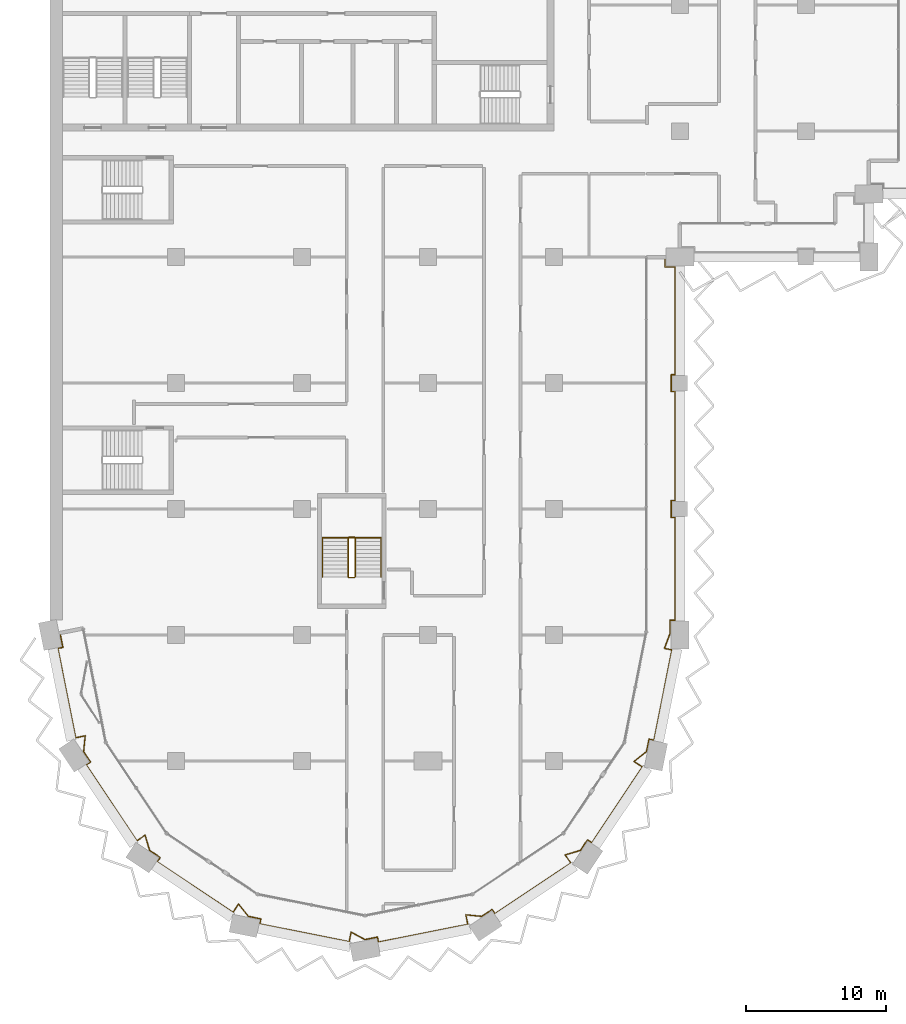
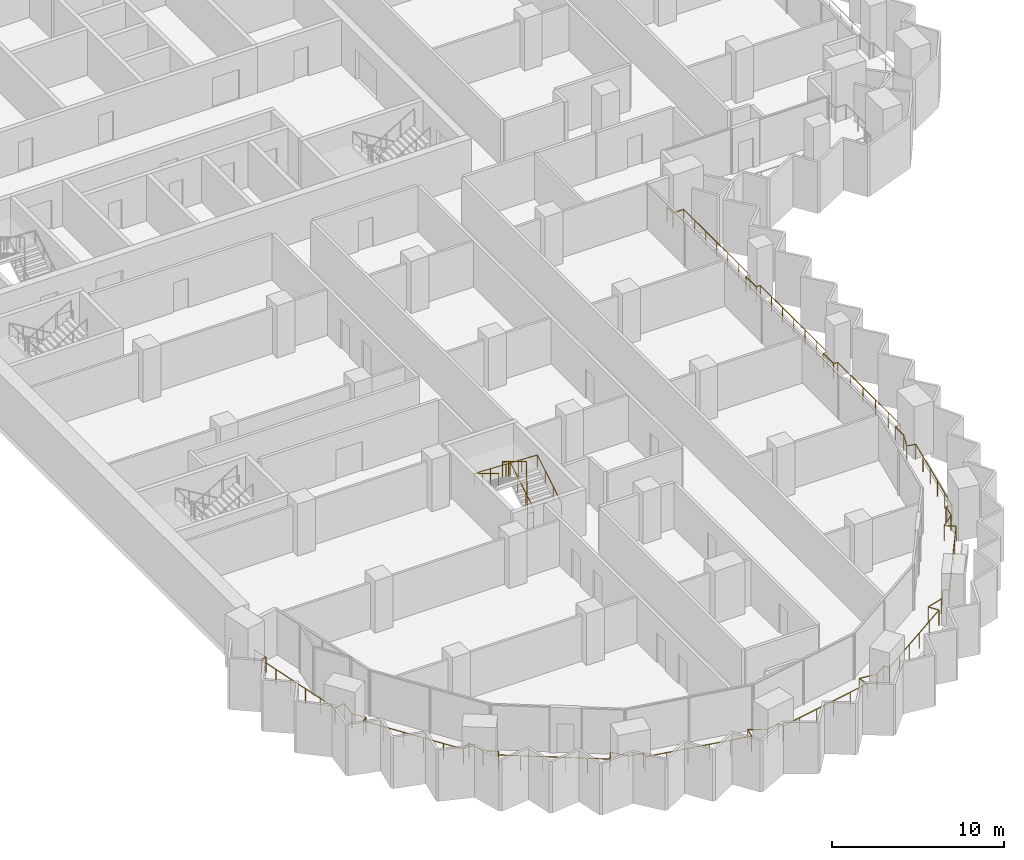
# One storey, part 19 of 22: 3 railings.
"""IFC4 building model written with IfcOpenShell, lengths in metres."""

from ifc_helpers import new_model, si_unit, direction, frame, origin, origin_2d, place, context, subcontext, project, spatial, circle, extrude, material, type_object, element, save


model = new_model("IFC4")

# Units and contexts
model_context = context("Model", 3, precision=1e-05, world=origin(), true_north=direction((0.0, 1.0)))
body_context = subcontext(model_context, "Body", "Model", "MODEL_VIEW")
ifc_project = project(units=[si_unit("LENGTHUNIT", "METRE"), si_unit("AREAUNIT", "SQUARE_METRE"), si_unit("VOLUMEUNIT", "CUBIC_METRE"), si_unit("PLANEANGLEUNIT", "RADIAN"), si_unit("MASSUNIT", "GRAM", prefix="KILO")], contexts=[model_context])

# Site, building, storey
site_placement = place(None, origin())
site = spatial("IfcSite", under=ifc_project, at=site_placement, CompositionType="ELEMENT")
building_placement = place(site_placement, origin())
building = spatial("IfcBuilding", under=site, at=building_placement, Name="Hunhe Ridgeline Campus", CompositionType="ELEMENT")
storey_placement = place(building_placement, frame((0.0, 0.0, 174.5)))
storey = spatial("IfcBuildingStorey", under=building, at=storey_placement, Name="L44", CompositionType="ELEMENT", Elevation=174.5)

# Railings
ifc_material_1 = material(Name="Steel Q355", Category="steel")
railing_type_1 = type_object("IfcRailingType", Name="Loggia guard 1100 Steel Q355", PredefinedType="GUARDRAIL", material=ifc_material_1)
railing_1_placement = place(storey_placement, frame((0.7060546875, 27.140380859375, 0.0)))
element("IfcRailing", 1, at=railing_1_placement, inside=storey, type_object=railing_type_1, Name="Loggia guard 1", PredefinedType="GUARDRAIL", context=body_context, shape_type="SweptSolid", body=[
    extrude(circle(Radius=0.02392578125, at=origin_2d()), frame((0.0, 0.0, 1.076171875), z_axis=(0.195087556151, -0.980785830564, 0.0), x_axis=(0.980785830564, 0.195087556151, 0.0)), (0.0, 0.0, 1.0), 1.050048828125),
    extrude(circle(Radius=0.02392578125, at=origin_2d()), frame((0.204833984375, -1.02978515625, 1.076171875), z_axis=(-0.980858940504, -0.194719641621, 0.0), x_axis=(0.194719641621, -0.980858940504, 0.0)), (0.0, 0.0, 1.0), 0.369873046875),
    extrude(circle(Radius=0.02392578125, at=origin_2d()), frame((-0.157958984375, -1.101806640625, 1.076171875), z_axis=(0.19507695386, -0.9807879394, 0.0), x_axis=(0.9807879394, 0.19507695386, 0.0)), (0.0, 0.0, 1.0), 6.506591796875),
    extrude(circle(Radius=0.02392578125, at=origin_2d()), frame((1.111328125, -7.4833984375, 1.076171875), z_axis=(0.980780459814, 0.195114555191, 0.0), x_axis=(-0.195114555191, 0.980780459814, 0.0)), (0.0, 0.0, 1.0), 0.703125),
    extrude(circle(Radius=0.02392578125, at=origin_2d()), frame((1.801025390625, -7.34619140625, 1.076171875), z_axis=(-0.102884402445, -0.994693319437, 0.0), x_axis=(0.994693319437, -0.102884402445, 0.0)), (0.0, 0.0, 1.0), 1.129638671875),
    extrude(circle(Radius=0.02392578125, at=origin_2d()), frame((1.684814453125, -8.4697265625, 1.076171875), z_axis=(0.555569523548, -0.831470086356, 0.0), x_axis=(0.831470086356, 0.555569523548, 0.0)), (0.0, 0.0, 1.0), 0.906982421875),
    extrude(circle(Radius=0.02392578125, at=origin_2d()), frame((2.188720703125, -9.223876953125, 1.076171875), z_axis=(-0.831440678638, -0.555613532868, 0.0), x_axis=(0.555613532868, -0.831440678638, 0.0)), (0.0, 0.0, 1.0), 0.369873046875),
    extrude(circle(Radius=0.02392578125, at=origin_2d()), frame((1.881103515625, -9.429443359375, 1.076171875), z_axis=(0.55556581165, -0.83147256655, 0.0), x_axis=(0.83147256655, 0.55556581165, 0.0)), (0.0, 0.0, 1.0), 6.50634765625),
    extrude(circle(Radius=0.02392578125, at=origin_2d()), frame((5.495849609375, -14.83935546875, 1.076171875), z_axis=(0.831355400166, 0.555741125539, 0.0), x_axis=(-0.555741125539, 0.831355400166, 0.0)), (0.0, 0.0, 1.0), 0.703369140625),
    extrude(circle(Radius=0.02392578125, at=origin_2d()), frame((6.08056640625, -14.448486328125, 1.076171875), z_axis=(0.285463917281, -0.958389457335, 0.0), x_axis=(0.958389457335, 0.285463917281, 0.0)), (0.0, 0.0, 1.0), 1.1298828125),
    extrude(circle(Radius=0.02392578125, at=origin_2d()), frame((6.403076171875, -15.53125, 1.076171875), z_axis=(0.831511358569, -0.555507750235, 0.0), x_axis=(0.555507750235, 0.831511358569, 0.0)), (0.0, 0.0, 1.0), 0.90673828125),
    extrude(circle(Radius=0.02392578125, at=origin_2d()), frame((7.156982421875, -16.034912109375, 1.076171875), z_axis=(-0.555613532868, -0.831440678638, 0.0), x_axis=(0.831440678638, -0.555613532868, 0.0)), (0.0, 0.0, 1.0), 0.369873046875),
    extrude(circle(Radius=0.02392578125, at=origin_2d()), frame((6.951416015625, -16.342529296875, 1.076171875), z_axis=(0.831455233209, -0.555591752251, 0.0), x_axis=(0.555591752251, 0.831455233209, 0.0)), (0.0, 0.0, 1.0), 6.506591796875),
    extrude(circle(Radius=0.02392578125, at=origin_2d()), frame((12.361328125, -19.95751953125, 1.076171875), z_axis=(0.555741125539, 0.831355400166, 0.0), x_axis=(-0.831355400166, 0.555741125539, 0.0)), (0.0, 0.0, 1.0), 0.703369140625),
    extrude(circle(Radius=0.02392578125, at=origin_2d()), frame((12.752197265625, -19.372802734375, 1.076171875), z_axis=(0.630633305327, -0.776080945657, 0.0), x_axis=(0.776080945657, 0.630633305327, 0.0)), (0.0, 0.0, 1.0), 1.129638671875),
    extrude(circle(Radius=0.02392578125, at=origin_2d()), frame((13.464599609375, -20.24951171875, 1.076171875), z_axis=(0.980807887006, -0.194976636516, 0.0), x_axis=(0.194976636516, 0.980807887006, 0.0)), (0.0, 0.0, 1.0), 0.906494140625),
    extrude(circle(Radius=0.02392578125, at=origin_2d()), frame((14.353759765625, -20.42626953125, 1.076171875), z_axis=(-0.194593653816, -0.980883943132, 0.0), x_axis=(0.980883943132, -0.194593653816, 0.0)), (0.0, 0.0, 1.0), 0.3701171875),
    extrude(circle(Radius=0.02392578125, at=origin_2d()), frame((14.28173828125, -20.789306640625, 1.076171875), z_axis=(0.98078651142, -0.195084133173, 0.0), x_axis=(0.195084133173, 0.98078651142, 0.0)), (0.0, 0.0, 1.0), 6.50634765625),
    extrude(circle(Radius=0.02392578125, at=origin_2d()), frame((20.6630859375, -22.05859375, 1.076171875), z_axis=(0.195114555191, 0.980780459814, 0.0), x_axis=(-0.980780459814, 0.195114555191, 0.0)), (0.0, 0.0, 1.0), 0.703125),
    extrude(circle(Radius=0.02392578125, at=origin_2d()), frame((20.80029296875, -21.368896484375, 1.076171875), z_axis=(0.879616090555, -0.475684278946, 0.0), x_axis=(0.475684278946, 0.879616090555, 0.0)), (0.0, 0.0, 1.0), 1.129638671875),
    extrude(circle(Radius=0.02392578125, at=origin_2d()), frame((21.7939453125, -21.90625, 1.076171875), z_axis=(0.98081812081, 0.194925149456, 0.0), x_axis=(-0.194925149456, 0.98081812081, 0.0)), (0.0, 0.0, 1.0), 0.90673828125),
    extrude(circle(Radius=0.02392578125, at=origin_2d()), frame((22.683349609375, -21.7294921875, 1.076171875), z_axis=(0.194719641621, -0.980858940504, 0.0), x_axis=(0.980858940504, 0.194719641621, 0.0)), (0.0, 0.0, 1.0), 0.369873046875),
    extrude(circle(Radius=0.02392578125, at=origin_2d()), frame((22.75537109375, -22.09228515625, 1.076171875), z_axis=(0.9807879394, 0.19507695386, 0.0), x_axis=(-0.19507695386, 0.9807879394, 0.0)), (0.0, 0.0, 1.0), 6.506591796875),
    extrude(circle(Radius=0.02392578125, at=origin_2d()), frame((29.136962890625, -20.822998046875, 1.076171875), z_axis=(-0.195114555191, 0.980780459814, 0.0), x_axis=(-0.980780459814, -0.195114555191, 0.0)), (0.0, 0.0, 1.0), 0.703125),
    extrude(circle(Radius=0.02392578125, at=origin_2d()), frame((28.999755859375, -20.13330078125, 1.076171875), z_axis=(0.994693319437, -0.102884402445, 0.0), x_axis=(0.102884402445, 0.994693319437, 0.0)), (0.0, 0.0, 1.0), 1.129638671875),
    extrude(circle(Radius=0.02392578125, at=origin_2d()), frame((30.123291015625, -20.24951171875, 1.076171875), z_axis=(0.831470086356, 0.555569523548, 0.0), x_axis=(-0.555569523548, 0.831470086356, 0.0)), (0.0, 0.0, 1.0), 0.906982421875),
    extrude(circle(Radius=0.02392578125, at=origin_2d()), frame((30.87744140625, -19.74560546875, 1.076171875), z_axis=(0.555613532868, -0.831440678638, 0.0), x_axis=(0.831440678638, 0.555613532868, 0.0)), (0.0, 0.0, 1.0), 0.369873046875),
    extrude(circle(Radius=0.02392578125, at=origin_2d()), frame((31.0830078125, -20.05322265625, 1.076171875), z_axis=(0.83147256655, 0.55556581165, 0.0), x_axis=(-0.55556581165, 0.83147256655, 0.0)), (0.0, 0.0, 1.0), 6.50634765625),
    extrude(circle(Radius=0.02392578125, at=origin_2d()), frame((36.492919921875, -16.4384765625, 1.076171875), z_axis=(-0.555741125539, 0.831355400166, 0.0), x_axis=(-0.831355400166, -0.555741125539, 0.0)), (0.0, 0.0, 1.0), 0.703369140625),
    extrude(circle(Radius=0.02392578125, at=origin_2d()), frame((36.10205078125, -15.853759765625, 1.076171875), z_axis=(0.958389457335, 0.285463917281, 0.0), x_axis=(-0.285463917281, 0.958389457335, 0.0)), (0.0, 0.0, 1.0), 1.1298828125),
    extrude(circle(Radius=0.02392578125, at=origin_2d()), frame((37.184814453125, -15.53125, 1.076171875), z_axis=(0.555507750235, 0.831511358569, 0.0), x_axis=(-0.831511358569, 0.555507750235, 0.0)), (0.0, 0.0, 1.0), 0.90673828125),
    extrude(circle(Radius=0.02392578125, at=origin_2d()), frame((37.6884765625, -14.77734375, 1.076171875), z_axis=(0.831440678638, -0.555613532868, 0.0), x_axis=(0.555613532868, 0.831440678638, 0.0)), (0.0, 0.0, 1.0), 0.369873046875),
    extrude(circle(Radius=0.02392578125, at=origin_2d()), frame((37.99609375, -14.98291015625, 1.076171875), z_axis=(0.555591752251, 0.831455233209, 0.0), x_axis=(-0.831455233209, 0.555591752251, 0.0)), (0.0, 0.0, 1.0), 6.506591796875),
    extrude(circle(Radius=0.02392578125, at=origin_2d()), frame((41.611083984375, -9.572998046875, 1.076171875), z_axis=(-0.831355400166, 0.555741125539, 0.0), x_axis=(-0.555741125539, -0.831355400166, 0.0)), (0.0, 0.0, 1.0), 0.703369140625),
    extrude(circle(Radius=0.02392578125, at=origin_2d()), frame((41.0263671875, -9.18212890625, 1.076171875), z_axis=(0.776080945657, 0.630633305327, 0.0), x_axis=(-0.630633305327, 0.776080945657, 0.0)), (0.0, 0.0, 1.0), 1.129638671875),
    extrude(circle(Radius=0.02392578125, at=origin_2d()), frame((41.903076171875, -8.4697265625, 1.076171875), z_axis=(0.194976636516, 0.980807887006, 0.0), x_axis=(-0.980807887006, 0.194976636516, 0.0)), (0.0, 0.0, 1.0), 0.906494140625),
    extrude(circle(Radius=0.02392578125, at=origin_2d()), frame((42.079833984375, -7.58056640625, 1.076171875), z_axis=(0.980883943132, -0.194593653816, 0.0), x_axis=(0.194593653816, 0.980883943132, 0.0)), (0.0, 0.0, 1.0), 0.3701171875),
    extrude(circle(Radius=0.02392578125, at=origin_2d()), frame((42.44287109375, -7.652587890625, 1.076171875), z_axis=(0.195087191819, 0.980785903033, 0.0), x_axis=(-0.980785903033, 0.195087191819, 0.0)), (0.0, 0.0, 1.0), 6.5712890625),
    extrude(circle(Radius=0.02392578125, at=origin_2d()), frame((43.724853515625, -1.20751953125, 1.076171875), z_axis=(-0.9807502228, 0.195266485801, 0.0), x_axis=(-0.195266485801, -0.9807502228, 0.0)), (0.0, 0.0, 1.0), 0.552734375),
    extrude(circle(Radius=0.02392578125, at=origin_2d()), frame((43.182861328125, -1.099609375, 1.076171875), z_axis=(0.354981524628, 0.934873316109, 0.0), x_axis=(-0.934873316109, 0.354981524628, 0.0)), (0.0, 0.0, 1.0), 1.101806640625),
    extrude(circle(Radius=0.02392578125, at=origin_2d()), frame((43.573974609375, -0.069580078125, 1.076171875), z_axis=(0.0, 1.0, 0.0), x_axis=(-1.0, 0.0, 0.0)), (0.0, 0.0, 1.0), 0.979248046875),
    extrude(circle(Radius=0.02392578125, at=origin_2d()), frame((43.573974609375, 0.90966796875, 1.076171875), z_axis=(1.0, 0.0, 0.0), x_axis=(0.0, 1.0, 0.0)), (0.0, 0.0, 1.0), 0.369873046875),
    extrude(circle(Radius=0.02392578125, at=origin_2d()), frame((43.94384765625, 0.90966796875, 1.076171875), z_axis=(0.0, 1.0, 0.0), x_axis=(-1.0, 0.0, 0.0)), (0.0, 0.0, 1.0), 7.349853515625),
    extrude(circle(Radius=0.02392578125, at=origin_2d()), frame((43.94384765625, 8.259521484375, 1.076171875), z_axis=(-1.0, 0.0, 0.0), x_axis=(0.0, -1.0, 0.0)), (0.0, 0.0, 1.0), 0.27001953125),
    extrude(circle(Radius=0.02392578125, at=origin_2d()), frame((43.673828125, 8.259521484375, 1.076171875), z_axis=(0.0, 1.0, 0.0), x_axis=(-1.0, 0.0, 0.0)), (0.0, 0.0, 1.0), 1.2001953125),
    extrude(circle(Radius=0.02392578125, at=origin_2d()), frame((43.673828125, 9.459716796875, 1.076171875), z_axis=(1.0, 0.0, 0.0), x_axis=(0.0, 1.0, 0.0)), (0.0, 0.0, 1.0), 0.27001953125),
    extrude(circle(Radius=0.02392578125, at=origin_2d()), frame((43.94384765625, 9.459716796875, 1.076171875), z_axis=(0.0, 1.0, 0.0), x_axis=(-1.0, 0.0, 0.0)), (0.0, 0.0, 1.0), 7.7998046875),
    extrude(circle(Radius=0.02392578125, at=origin_2d()), frame((43.94384765625, 17.259521484375, 1.076171875), z_axis=(-1.0, 0.0, 0.0), x_axis=(0.0, -1.0, 0.0)), (0.0, 0.0, 1.0), 0.27001953125),
    extrude(circle(Radius=0.02392578125, at=origin_2d()), frame((43.673828125, 17.259521484375, 1.076171875), z_axis=(0.0, 1.0, 0.0), x_axis=(-1.0, 0.0, 0.0)), (0.0, 0.0, 1.0), 1.2001953125),
    extrude(circle(Radius=0.02392578125, at=origin_2d()), frame((43.673828125, 18.459716796875, 1.076171875), z_axis=(1.0, 0.0, 0.0), x_axis=(0.0, 1.0, 0.0)), (0.0, 0.0, 1.0), 0.27001953125),
    extrude(circle(Radius=0.02392578125, at=origin_2d()), frame((43.94384765625, 18.459716796875, 1.076171875), z_axis=(0.0, 1.0, 0.0), x_axis=(-1.0, 0.0, 0.0)), (0.0, 0.0, 1.0), 7.699951171875),
    extrude(circle(Radius=0.02392578125, at=origin_2d()), frame((43.94384765625, 26.15966796875, 1.076171875), z_axis=(-1.0, 0.0, 0.0), x_axis=(0.0, -1.0, 0.0)), (0.0, 0.0, 1.0), 0.719970703125),
    extrude(circle(Radius=0.02392578125, at=origin_2d()), frame((43.223876953125, 26.15966796875, 1.076171875), z_axis=(0.0, 1.0, 0.0), x_axis=(-1.0, 0.0, 0.0)), (0.0, 0.0, 1.0), 0.699951171875),
    extrude(circle(Radius=0.02099609375, at=origin_2d()), origin(), (0.0, 0.0, 1.0), 1.052001953125),
    extrude(circle(Radius=0.02099609375, at=origin_2d()), frame((0.204833984375, -1.02978515625, 0.0)), (0.0, 0.0, 1.0), 1.052001953125),
    extrude(circle(Radius=0.02099609375, at=origin_2d()), frame((-0.157958984375, -1.101806640625, 0.0)), (0.0, 0.0, 1.0), 1.052001953125),
    extrude(circle(Radius=0.02099609375, at=origin_2d()), frame((0.095947265625, -2.378173828125, 0.0)), (0.0, 0.0, 1.0), 1.052001953125),
    extrude(circle(Radius=0.02099609375, at=origin_2d()), frame((0.349853515625, -3.654541015625, 0.0)), (0.0, 0.0, 1.0), 1.052001953125),
    extrude(circle(Radius=0.02099609375, at=origin_2d()), frame((0.603515625, -4.9306640625, 0.0)), (0.0, 0.0, 1.0), 1.052001953125),
    extrude(circle(Radius=0.02099609375, at=origin_2d()), frame((0.857421875, -6.20703125, 0.0)), (0.0, 0.0, 1.0), 1.052001953125),
    extrude(circle(Radius=0.02099609375, at=origin_2d()), frame((1.111328125, -7.4833984375, 0.0)), (0.0, 0.0, 1.0), 1.052001953125),
    extrude(circle(Radius=0.02099609375, at=origin_2d()), frame((1.801025390625, -7.34619140625, 0.0)), (0.0, 0.0, 1.0), 1.052001953125),
    extrude(circle(Radius=0.02099609375, at=origin_2d()), frame((1.684814453125, -8.4697265625, 0.0)), (0.0, 0.0, 1.0), 1.052001953125),
    extrude(circle(Radius=0.02099609375, at=origin_2d()), frame((2.188720703125, -9.223876953125, 0.0)), (0.0, 0.0, 1.0), 1.052001953125),
    extrude(circle(Radius=0.02099609375, at=origin_2d()), frame((1.881103515625, -9.429443359375, 0.0)), (0.0, 0.0, 1.0), 1.052001953125),
    extrude(circle(Radius=0.02099609375, at=origin_2d()), frame((2.60400390625, -10.511474609375, 0.0)), (0.0, 0.0, 1.0), 1.052001953125),
    extrude(circle(Radius=0.02099609375, at=origin_2d()), frame((3.326904296875, -11.593505859375, 0.0)), (0.0, 0.0, 1.0), 1.052001953125),
    extrude(circle(Radius=0.02099609375, at=origin_2d()), frame((4.050048828125, -12.67529296875, 0.0)), (0.0, 0.0, 1.0), 1.052001953125),
    extrude(circle(Radius=0.02099609375, at=origin_2d()), frame((4.77294921875, -13.75732421875, 0.0)), (0.0, 0.0, 1.0), 1.052001953125),
    extrude(circle(Radius=0.02099609375, at=origin_2d()), frame((5.495849609375, -14.83935546875, 0.0)), (0.0, 0.0, 1.0), 1.052001953125),
    extrude(circle(Radius=0.02099609375, at=origin_2d()), frame((6.08056640625, -14.448486328125, 0.0)), (0.0, 0.0, 1.0), 1.052001953125),
    extrude(circle(Radius=0.02099609375, at=origin_2d()), frame((6.403076171875, -15.53125, 0.0)), (0.0, 0.0, 1.0), 1.052001953125),
    extrude(circle(Radius=0.02099609375, at=origin_2d()), frame((7.156982421875, -16.034912109375, 0.0)), (0.0, 0.0, 1.0), 1.052001953125),
    extrude(circle(Radius=0.02099609375, at=origin_2d()), frame((6.951416015625, -16.342529296875, 0.0)), (0.0, 0.0, 1.0), 1.052001953125),
    extrude(circle(Radius=0.02099609375, at=origin_2d()), frame((8.033447265625, -17.0654296875, 0.0)), (0.0, 0.0, 1.0), 1.052001953125),
    extrude(circle(Radius=0.02099609375, at=origin_2d()), frame((9.115478515625, -17.78857421875, 0.0)), (0.0, 0.0, 1.0), 1.052001953125),
    extrude(circle(Radius=0.02099609375, at=origin_2d()), frame((10.197265625, -18.511474609375, 0.0)), (0.0, 0.0, 1.0), 1.052001953125),
    extrude(circle(Radius=0.02099609375, at=origin_2d()), frame((11.279296875, -19.234619140625, 0.0)), (0.0, 0.0, 1.0), 1.052001953125),
    extrude(circle(Radius=0.02099609375, at=origin_2d()), frame((12.361328125, -19.95751953125, 0.0)), (0.0, 0.0, 1.0), 1.052001953125),
    extrude(circle(Radius=0.02099609375, at=origin_2d()), frame((12.752197265625, -19.372802734375, 0.0)), (0.0, 0.0, 1.0), 1.052001953125),
    extrude(circle(Radius=0.02099609375, at=origin_2d()), frame((13.464599609375, -20.24951171875, 0.0)), (0.0, 0.0, 1.0), 1.052001953125),
    extrude(circle(Radius=0.02099609375, at=origin_2d()), frame((14.353759765625, -20.42626953125, 0.0)), (0.0, 0.0, 1.0), 1.052001953125),
    extrude(circle(Radius=0.02099609375, at=origin_2d()), frame((14.28173828125, -20.789306640625, 0.0)), (0.0, 0.0, 1.0), 1.052001953125),
    extrude(circle(Radius=0.02099609375, at=origin_2d()), frame((15.55810546875, -21.043212890625, 0.0)), (0.0, 0.0, 1.0), 1.052001953125),
    extrude(circle(Radius=0.02099609375, at=origin_2d()), frame((16.834228515625, -21.297119140625, 0.0)), (0.0, 0.0, 1.0), 1.052001953125),
    extrude(circle(Radius=0.02099609375, at=origin_2d()), frame((18.110595703125, -21.55078125, 0.0)), (0.0, 0.0, 1.0), 1.052001953125),
    extrude(circle(Radius=0.02099609375, at=origin_2d()), frame((19.38671875, -21.8046875, 0.0)), (0.0, 0.0, 1.0), 1.052001953125),
    extrude(circle(Radius=0.02099609375, at=origin_2d()), frame((20.6630859375, -22.05859375, 0.0)), (0.0, 0.0, 1.0), 1.052001953125),
    extrude(circle(Radius=0.02099609375, at=origin_2d()), frame((20.80029296875, -21.368896484375, 0.0)), (0.0, 0.0, 1.0), 1.052001953125),
    extrude(circle(Radius=0.02099609375, at=origin_2d()), frame((21.7939453125, -21.90625, 0.0)), (0.0, 0.0, 1.0), 1.052001953125),
    extrude(circle(Radius=0.02099609375, at=origin_2d()), frame((22.683349609375, -21.7294921875, 0.0)), (0.0, 0.0, 1.0), 1.052001953125),
    extrude(circle(Radius=0.02099609375, at=origin_2d()), frame((22.75537109375, -22.09228515625, 0.0)), (0.0, 0.0, 1.0), 1.052001953125),
    extrude(circle(Radius=0.02099609375, at=origin_2d()), frame((24.03173828125, -21.83837890625, 0.0)), (0.0, 0.0, 1.0), 1.052001953125),
    extrude(circle(Radius=0.02099609375, at=origin_2d()), frame((25.30810546875, -21.58447265625, 0.0)), (0.0, 0.0, 1.0), 1.052001953125),
    extrude(circle(Radius=0.02099609375, at=origin_2d()), frame((26.584228515625, -21.330810546875, 0.0)), (0.0, 0.0, 1.0), 1.052001953125),
    extrude(circle(Radius=0.02099609375, at=origin_2d()), frame((27.860595703125, -21.076904296875, 0.0)), (0.0, 0.0, 1.0), 1.052001953125),
    extrude(circle(Radius=0.02099609375, at=origin_2d()), frame((29.136962890625, -20.822998046875, 0.0)), (0.0, 0.0, 1.0), 1.052001953125),
    extrude(circle(Radius=0.02099609375, at=origin_2d()), frame((28.999755859375, -20.13330078125, 0.0)), (0.0, 0.0, 1.0), 1.052001953125),
    extrude(circle(Radius=0.02099609375, at=origin_2d()), frame((30.123291015625, -20.24951171875, 0.0)), (0.0, 0.0, 1.0), 1.052001953125),
    extrude(circle(Radius=0.02099609375, at=origin_2d()), frame((30.87744140625, -19.74560546875, 0.0)), (0.0, 0.0, 1.0), 1.052001953125),
    extrude(circle(Radius=0.02099609375, at=origin_2d()), frame((31.0830078125, -20.05322265625, 0.0)), (0.0, 0.0, 1.0), 1.052001953125),
    extrude(circle(Radius=0.02099609375, at=origin_2d()), frame((32.1650390625, -19.330322265625, 0.0)), (0.0, 0.0, 1.0), 1.052001953125),
    extrude(circle(Radius=0.02099609375, at=origin_2d()), frame((33.2470703125, -18.607421875, 0.0)), (0.0, 0.0, 1.0), 1.052001953125),
    extrude(circle(Radius=0.02099609375, at=origin_2d()), frame((34.328857421875, -17.88427734375, 0.0)), (0.0, 0.0, 1.0), 1.052001953125),
    extrude(circle(Radius=0.02099609375, at=origin_2d()), frame((35.410888671875, -17.161376953125, 0.0)), (0.0, 0.0, 1.0), 1.052001953125),
    extrude(circle(Radius=0.02099609375, at=origin_2d()), frame((36.492919921875, -16.4384765625, 0.0)), (0.0, 0.0, 1.0), 1.052001953125),
    extrude(circle(Radius=0.02099609375, at=origin_2d()), frame((36.10205078125, -15.853759765625, 0.0)), (0.0, 0.0, 1.0), 1.052001953125),
    extrude(circle(Radius=0.02099609375, at=origin_2d()), frame((37.184814453125, -15.53125, 0.0)), (0.0, 0.0, 1.0), 1.052001953125),
    extrude(circle(Radius=0.02099609375, at=origin_2d()), frame((37.6884765625, -14.77734375, 0.0)), (0.0, 0.0, 1.0), 1.052001953125),
    extrude(circle(Radius=0.02099609375, at=origin_2d()), frame((37.99609375, -14.98291015625, 0.0)), (0.0, 0.0, 1.0), 1.052001953125),
    extrude(circle(Radius=0.02099609375, at=origin_2d()), frame((38.718994140625, -13.90087890625, 0.0)), (0.0, 0.0, 1.0), 1.052001953125),
    extrude(circle(Radius=0.02099609375, at=origin_2d()), frame((39.442138671875, -12.81884765625, 0.0)), (0.0, 0.0, 1.0), 1.052001953125),
    extrude(circle(Radius=0.02099609375, at=origin_2d()), frame((40.1650390625, -11.737060546875, 0.0)), (0.0, 0.0, 1.0), 1.052001953125),
    extrude(circle(Radius=0.02099609375, at=origin_2d()), frame((40.88818359375, -10.655029296875, 0.0)), (0.0, 0.0, 1.0), 1.052001953125),
    extrude(circle(Radius=0.02099609375, at=origin_2d()), frame((41.611083984375, -9.572998046875, 0.0)), (0.0, 0.0, 1.0), 1.052001953125),
    extrude(circle(Radius=0.02099609375, at=origin_2d()), frame((41.0263671875, -9.18212890625, 0.0)), (0.0, 0.0, 1.0), 1.052001953125),
    extrude(circle(Radius=0.02099609375, at=origin_2d()), frame((41.903076171875, -8.4697265625, 0.0)), (0.0, 0.0, 1.0), 1.052001953125),
    extrude(circle(Radius=0.02099609375, at=origin_2d()), frame((42.079833984375, -7.58056640625, 0.0)), (0.0, 0.0, 1.0), 1.052001953125),
    extrude(circle(Radius=0.02099609375, at=origin_2d()), frame((42.44287109375, -7.652587890625, 0.0)), (0.0, 0.0, 1.0), 1.052001953125),
    extrude(circle(Radius=0.02099609375, at=origin_2d()), frame((42.69921875, -6.363525390625, 0.0)), (0.0, 0.0, 1.0), 1.052001953125),
    extrude(circle(Radius=0.02099609375, at=origin_2d()), frame((42.95556640625, -5.074462890625, 0.0)), (0.0, 0.0, 1.0), 1.052001953125),
    extrude(circle(Radius=0.02099609375, at=origin_2d()), frame((43.212158203125, -3.78564453125, 0.0)), (0.0, 0.0, 1.0), 1.052001953125),
    extrude(circle(Radius=0.02099609375, at=origin_2d()), frame((43.468505859375, -2.49658203125, 0.0)), (0.0, 0.0, 1.0), 1.052001953125),
    extrude(circle(Radius=0.02099609375, at=origin_2d()), frame((43.724853515625, -1.20751953125, 0.0)), (0.0, 0.0, 1.0), 1.052001953125),
    extrude(circle(Radius=0.02099609375, at=origin_2d()), frame((43.182861328125, -1.099609375, 0.0)), (0.0, 0.0, 1.0), 1.052001953125),
    extrude(circle(Radius=0.02099609375, at=origin_2d()), frame((43.573974609375, -0.069580078125, 0.0)), (0.0, 0.0, 1.0), 1.052001953125),
    extrude(circle(Radius=0.02099609375, at=origin_2d()), frame((43.573974609375, 0.90966796875, 0.0)), (0.0, 0.0, 1.0), 1.052001953125),
    extrude(circle(Radius=0.02099609375, at=origin_2d()), frame((43.94384765625, 0.90966796875, 0.0)), (0.0, 0.0, 1.0), 1.052001953125),
    extrude(circle(Radius=0.02099609375, at=origin_2d()), frame((43.94384765625, 2.379638671875, 0.0)), (0.0, 0.0, 1.0), 1.052001953125),
    extrude(circle(Radius=0.02099609375, at=origin_2d()), frame((43.94384765625, 3.849609375, 0.0)), (0.0, 0.0, 1.0), 1.052001953125),
    extrude(circle(Radius=0.02099609375, at=origin_2d()), frame((43.94384765625, 5.319580078125, 0.0)), (0.0, 0.0, 1.0), 1.052001953125),
    extrude(circle(Radius=0.02099609375, at=origin_2d()), frame((43.94384765625, 6.78955078125, 0.0)), (0.0, 0.0, 1.0), 1.052001953125),
    extrude(circle(Radius=0.02099609375, at=origin_2d()), frame((43.94384765625, 8.259521484375, 0.0)), (0.0, 0.0, 1.0), 1.052001953125),
    extrude(circle(Radius=0.02099609375, at=origin_2d()), frame((43.673828125, 8.259521484375, 0.0)), (0.0, 0.0, 1.0), 1.052001953125),
    extrude(circle(Radius=0.02099609375, at=origin_2d()), frame((43.673828125, 9.459716796875, 0.0)), (0.0, 0.0, 1.0), 1.052001953125),
    extrude(circle(Radius=0.02099609375, at=origin_2d()), frame((43.94384765625, 9.459716796875, 0.0)), (0.0, 0.0, 1.0), 1.052001953125),
    extrude(circle(Radius=0.02099609375, at=origin_2d()), frame((43.94384765625, 10.759765625, 0.0)), (0.0, 0.0, 1.0), 1.052001953125),
    extrude(circle(Radius=0.02099609375, at=origin_2d()), frame((43.94384765625, 12.0595703125, 0.0)), (0.0, 0.0, 1.0), 1.052001953125),
    extrude(circle(Radius=0.02099609375, at=origin_2d()), frame((43.94384765625, 13.359619140625, 0.0)), (0.0, 0.0, 1.0), 1.052001953125),
    extrude(circle(Radius=0.02099609375, at=origin_2d()), frame((43.94384765625, 14.65966796875, 0.0)), (0.0, 0.0, 1.0), 1.052001953125),
    extrude(circle(Radius=0.02099609375, at=origin_2d()), frame((43.94384765625, 15.95947265625, 0.0)), (0.0, 0.0, 1.0), 1.052001953125),
    extrude(circle(Radius=0.02099609375, at=origin_2d()), frame((43.94384765625, 17.259521484375, 0.0)), (0.0, 0.0, 1.0), 1.052001953125),
    extrude(circle(Radius=0.02099609375, at=origin_2d()), frame((43.673828125, 17.259521484375, 0.0)), (0.0, 0.0, 1.0), 1.052001953125),
    extrude(circle(Radius=0.02099609375, at=origin_2d()), frame((43.673828125, 18.459716796875, 0.0)), (0.0, 0.0, 1.0), 1.052001953125),
    extrude(circle(Radius=0.02099609375, at=origin_2d()), frame((43.94384765625, 18.459716796875, 0.0)), (0.0, 0.0, 1.0), 1.052001953125),
    extrude(circle(Radius=0.02099609375, at=origin_2d()), frame((43.94384765625, 19.7431640625, 0.0)), (0.0, 0.0, 1.0), 1.052001953125),
    extrude(circle(Radius=0.02099609375, at=origin_2d()), frame((43.94384765625, 21.0263671875, 0.0)), (0.0, 0.0, 1.0), 1.052001953125),
    extrude(circle(Radius=0.02099609375, at=origin_2d()), frame((43.94384765625, 22.3095703125, 0.0)), (0.0, 0.0, 1.0), 1.052001953125),
    extrude(circle(Radius=0.02099609375, at=origin_2d()), frame((43.94384765625, 23.593017578125, 0.0)), (0.0, 0.0, 1.0), 1.052001953125),
    extrude(circle(Radius=0.02099609375, at=origin_2d()), frame((43.94384765625, 24.87646484375, 0.0)), (0.0, 0.0, 1.0), 1.052001953125),
    extrude(circle(Radius=0.02099609375, at=origin_2d()), frame((43.94384765625, 26.15966796875, 0.0)), (0.0, 0.0, 1.0), 1.052001953125),
    extrude(circle(Radius=0.02099609375, at=origin_2d()), frame((43.223876953125, 26.15966796875, 0.0)), (0.0, 0.0, 1.0), 1.052001953125),
    extrude(circle(Radius=0.02099609375, at=origin_2d()), frame((43.223876953125, 26.859619140625, 0.0)), (0.0, 0.0, 1.0), 1.052001953125),
])
ifc_material_2 = material(Name="Stainless steel balustrade", Category="steel")
railing_type_2 = type_object("IfcRailingType", Name="Stair guard 1100 stainless", PredefinedType="GUARDRAIL", material=ifc_material_2)
railing_2_placement = place(storey_placement, frame((21.800048828125, 31.14990234375, 0.168212890625)))
element("IfcRailing", 2, at=railing_2_placement, inside=storey, type_object=railing_type_2, Name="L44 stair W3 guard", PredefinedType="GUARDRAIL", context=body_context, shape_type="SweptSolid", body=[
    extrude(circle(Radius=0.02392578125, at=origin_2d()), frame((0.0, 0.0, 1.076171875), z_axis=(0.0, 0.857242210791, 0.514913383045), x_axis=(-1.0, 0.0, 0.0)), (0.0, 0.0, 1.0), 3.266357421875),
    extrude(circle(Radius=0.02392578125, at=origin_2d()), frame((0.0, 2.800048828125, 2.7578125), z_axis=(-0.707106781187, 0.707106781187, 0.0), x_axis=(-0.707106781187, -0.707106781187, 0.0)), (0.0, 0.0, 1.0), 0.07080078125),
    extrude(circle(Radius=0.02392578125, at=origin_2d()), frame((-0.050048828125, 2.85009765625, 2.7578125), z_axis=(-1.0, 0.0, 0.0), x_axis=(0.0, -1.0, 0.0)), (0.0, 0.0, 1.0), 0.39990234375),
    extrude(circle(Radius=0.02392578125, at=origin_2d()), frame((-0.449951171875, 2.85009765625, 2.7578125), z_axis=(-0.274582412415, -0.274582412415, 0.921525364591), x_axis=(0.707106781187, -0.707106781187, 0.0)), (0.0, 0.0, 1.0), 0.182373046875),
    extrude(circle(Radius=0.02392578125, at=origin_2d()), frame((-0.5, 2.800048828125, 2.92578125), z_axis=(0.0, -0.857242210791, 0.514913383045), x_axis=(1.0, 0.0, 0.0)), (0.0, 0.0, 1.0), 3.266357421875),
    extrude(circle(Radius=0.02392578125, at=origin_2d()), frame((-0.5, 0.0, 4.60791015625), z_axis=(0.013524426427, -0.013458453615, -0.999817963389), x_axis=(0.705375805398, 0.708833529934, 0.0)), (0.0, 0.0, 1.0), 3.70068359375),
    extrude(circle(Radius=0.02392578125, at=origin_2d()), frame((-0.449951171875, -0.0498046875, 0.90771484375), z_axis=(1.0, 0.0, 0.0), x_axis=(0.0, 1.0, 0.0)), (0.0, 0.0, 1.0), 0.39990234375),
    extrude(circle(Radius=0.02099609375, at=origin_2d()), origin(), (0.0, 0.0, 1.0), 1.052001953125),
    extrude(circle(Radius=0.02099609375, at=origin_2d()), frame((0.0, 0.933349609375, 0.560546875)), (0.0, 0.0, 1.0), 1.052001953125),
    extrude(circle(Radius=0.02099609375, at=origin_2d()), frame((0.0, 1.86669921875, 1.121337890625)), (0.0, 0.0, 1.0), 1.052001953125),
    extrude(circle(Radius=0.02099609375, at=origin_2d()), frame((0.0, 2.800048828125, 1.681884765625)), (0.0, 0.0, 1.0), 1.052001953125),
    extrude(circle(Radius=0.02099609375, at=origin_2d()), frame((-0.050048828125, 2.85009765625, 1.681884765625)), (0.0, 0.0, 1.0), 1.052001953125),
    extrude(circle(Radius=0.02099609375, at=origin_2d()), frame((-0.449951171875, 2.85009765625, 1.681884765625)), (0.0, 0.0, 1.0), 1.052001953125),
    extrude(circle(Radius=0.02099609375, at=origin_2d()), frame((-0.5, 2.800048828125, 1.849853515625)), (0.0, 0.0, 1.0), 1.052001953125),
    extrude(circle(Radius=0.02099609375, at=origin_2d()), frame((-0.5, 1.86669921875, 2.410400390625)), (0.0, 0.0, 1.0), 1.052001953125),
    extrude(circle(Radius=0.02099609375, at=origin_2d()), frame((-0.5, 0.933349609375, 2.97119140625)), (0.0, 0.0, 1.0), 1.052001953125),
    extrude(circle(Radius=0.02099609375, at=origin_2d()), frame((-0.5, 0.0, 3.53173828125)), (0.0, 0.0, 1.0), 1.052001953125),
    extrude(circle(Radius=0.02099609375, at=origin_2d()), frame((-0.487548828125, -0.012451171875, 2.606689453125)), (0.0, 0.0, 1.0), 1.052001953125),
    extrude(circle(Radius=0.02099609375, at=origin_2d()), frame((-0.47509765625, -0.02490234375, 1.681640625)), (0.0, 0.0, 1.0), 1.052001953125),
    extrude(circle(Radius=0.02099609375, at=origin_2d()), frame((-0.46240234375, -0.037353515625, 0.7568359375)), (0.0, 0.0, 1.0), 1.052001953125),
    extrude(circle(Radius=0.02099609375, at=origin_2d()), frame((-0.449951171875, -0.0498046875, -0.168212890625)), (0.0, 0.0, 1.0), 1.052001953125),
    extrude(circle(Radius=0.02099609375, at=origin_2d()), frame((-0.050048828125, -0.0498046875, -0.168212890625)), (0.0, 0.0, 1.0), 1.052001953125),
])
ifc_material_3 = material(Name="Stainless steel handrail", Category="steel")
railing_type_3 = type_object("IfcRailingType", Name="Stair handrail 900 stainless", PredefinedType="HANDRAIL", material=ifc_material_3)
railing_3_placement = place(storey_placement, frame((23.64990234375, 31.14990234375, 0.168212890625)))
element("IfcRailing", 3, at=railing_3_placement, inside=storey, type_object=railing_type_3, Name="L44 stair W3 handrail", PredefinedType="HANDRAIL", context=body_context, shape_type="SweptSolid", body=[
    extrude(circle(Radius=0.02392578125, at=origin_2d()), frame((0.0, 0.0, 0.8759765625), z_axis=(0.0, 0.857242210791, 0.514913383045), x_axis=(-1.0, 0.0, 0.0)), (0.0, 0.0, 1.0), 3.266357421875),
    extrude(circle(Radius=0.02392578125, at=origin_2d()), frame((0.0, 2.800048828125, 2.5576171875), z_axis=(-0.99920123705, 0.0, 0.039961079526), x_axis=(0.0, -1.0, 0.0)), (0.0, 0.0, 1.0), 4.203369140625),
    extrude(circle(Radius=0.02392578125, at=origin_2d()), frame((-4.199951171875, 2.800048828125, 2.7255859375), z_axis=(0.0, -0.857242210791, 0.514913383045), x_axis=(1.0, 0.0, 0.0)), (0.0, 0.0, 1.0), 3.266357421875),
    extrude(circle(Radius=0.02099609375, at=origin_2d()), origin(), (0.0, 0.0, 1.0), 0.851806640625),
    extrude(circle(Radius=0.02099609375, at=origin_2d()), frame((0.0, 0.933349609375, 0.560546875)), (0.0, 0.0, 1.0), 0.851806640625),
    extrude(circle(Radius=0.02099609375, at=origin_2d()), frame((0.0, 1.86669921875, 1.121337890625)), (0.0, 0.0, 1.0), 0.851806640625),
    extrude(circle(Radius=0.02099609375, at=origin_2d()), frame((0.0, 2.800048828125, 1.681884765625)), (0.0, 0.0, 1.0), 0.851806640625),
    extrude(circle(Radius=0.02099609375, at=origin_2d()), frame((-1.050048828125, 2.800048828125, 1.723876953125)), (0.0, 0.0, 1.0), 0.851806640625),
    extrude(circle(Radius=0.02099609375, at=origin_2d()), frame((-2.10009765625, 2.800048828125, 1.765869140625)), (0.0, 0.0, 1.0), 0.851806640625),
    extrude(circle(Radius=0.02099609375, at=origin_2d()), frame((-3.14990234375, 2.800048828125, 1.807861328125)), (0.0, 0.0, 1.0), 0.851806640625),
    extrude(circle(Radius=0.02099609375, at=origin_2d()), frame((-4.199951171875, 2.800048828125, 1.849853515625)), (0.0, 0.0, 1.0), 0.851806640625),
    extrude(circle(Radius=0.02099609375, at=origin_2d()), frame((-4.199951171875, 1.86669921875, 2.410400390625)), (0.0, 0.0, 1.0), 0.851806640625),
    extrude(circle(Radius=0.02099609375, at=origin_2d()), frame((-4.199951171875, 0.933349609375, 2.97119140625)), (0.0, 0.0, 1.0), 0.851806640625),
    extrude(circle(Radius=0.02099609375, at=origin_2d()), frame((-4.199951171875, 0.0, 3.53173828125)), (0.0, 0.0, 1.0), 0.851806640625),
])

save(model, "model.ifc")
